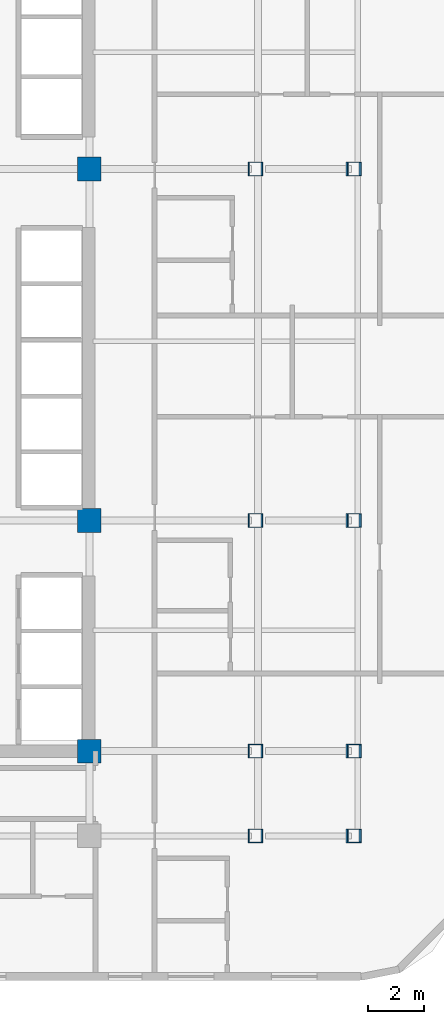
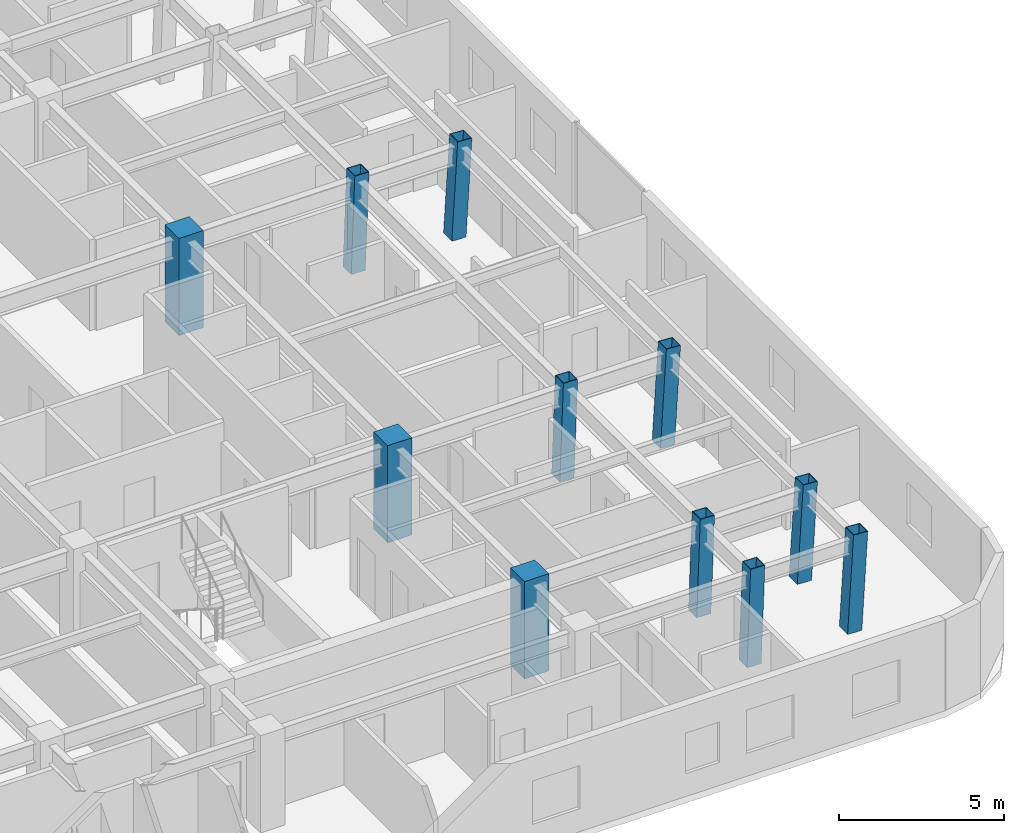
# One storey, part 2 of 13: 11 columns.
"""IFC4 building model written with IfcOpenShell, lengths in metres."""

import ifcopenshell
import ifcopenshell.guid

model = None  # the IFC model being written
_history = None  # IfcOwnerHistory: only IFC2X3 demands one
_inside = {}  # id of a spatial element -> (the spatial element, [elements in it])
_under = {}  # id of a project, library or spatial element -> (it, [spatial elements below it])
_declared = {}  # id of a project -> (the project, [libraries it declares])
_typed = {}  # id of a type object -> (the type object, [elements of that type])
_made_of = {}  # id of a material, layer set ... -> (it, [elements and type objects made of it])


def new_model(schema):
    """Start an empty IFC model of exactly this schema.

    Asked for "IFC4X3", IfcOpenShell would pick the latest addendum, in which some entities
    have other attributes; the version numbers below select the first issue.
    IFC2X3 requires an IfcOwnerHistory on every rooted entity: one is made here for all.
    """
    global model, _history
    if schema == "IFC4X3":
        model = ifcopenshell.file(schema_version=(4, 3, 0, 0))
    else:
        model = ifcopenshell.file(schema=schema)
    _inside.clear()
    _under.clear()
    _declared.clear()
    _typed.clear()
    _made_of.clear()
    _history = None
    if model.schema == "IFC2X3":
        org = make("IfcOrganization", Name="unknown")
        user = make(
            "IfcPersonAndOrganization",
            ThePerson=make("IfcPerson", FamilyName="unknown"),
            TheOrganization=org,
        )
        app = make(
            "IfcApplication",
            ApplicationDeveloper=org,
            Version="unknown",
            ApplicationFullName="unknown",
            ApplicationIdentifier="unknown",
        )
        _history = make(
            "IfcOwnerHistory",
            OwningUser=user,
            OwningApplication=app,
            ChangeAction="ADDED",
            CreationDate=0,
        )
    return model


def make(cls, **values):
    """One entity of the class cls with the attributes given. An attribute that is None is left unset."""
    return model.create_entity(
        cls, **{name: value for name, value in values.items() if value is not None}
    )


def rooted(cls, **values):
    """An entity with a GlobalId (a new one), such as an element, a storey or a relation."""
    return make(cls, GlobalId=ifcopenshell.guid.new(), OwnerHistory=_history, **values)


def si_unit(unit_type, name, prefix=None):
    """IfcSIUnit, for example si_unit("LENGTHUNIT", "METRE", prefix="MILLI")."""
    return make("IfcSIUnit", UnitType=unit_type, Prefix=prefix, Name=name)


def assignment(units):
    """IfcUnitAssignment: the units of a project."""
    return None if units is None else make("IfcUnitAssignment", Units=units)


def point(xyz):
    """IfcCartesianPoint."""
    return None if xyz is None else make("IfcCartesianPoint", Coordinates=xyz)


def direction(xyz):
    """IfcDirection."""
    return None if xyz is None else make("IfcDirection", DirectionRatios=xyz)


def frame(location, z_axis=None, x_axis=None):
    """IfcAxis2Placement3D, a coordinate frame: its origin and axes. An axis left out is left unset."""
    return make(
        "IfcAxis2Placement3D",
        Location=point(location),
        Axis=direction(z_axis),
        RefDirection=direction(x_axis),
    )


def frame_2d(location, x_axis=None):
    """IfcAxis2Placement2D, a coordinate frame in the plane: its origin and x axis."""
    return make(
        "IfcAxis2Placement2D", Location=point(location), RefDirection=direction(x_axis)
    )


def origin():
    """The frame at (0, 0, 0) with its axes left unset."""
    return frame((0.0, 0.0, 0.0))


def origin_2d():
    """The frame at (0, 0) in the plane with its x axis left unset."""
    return frame_2d((0.0, 0.0))


def place(relative_to, where):
    """IfcLocalPlacement: puts the frame where relative to a parent placement (None: the world)."""
    return make(
        "IfcLocalPlacement", PlacementRelTo=relative_to, RelativePlacement=where
    )


def context(
    kind, dimensions, precision=None, world=None, true_north=None, identifier=None
):
    """IfcGeometricRepresentationContext, for example the 3D "Model" context."""
    return make(
        "IfcGeometricRepresentationContext",
        ContextIdentifier=identifier,
        ContextType=kind,
        CoordinateSpaceDimension=dimensions,
        Precision=precision,
        WorldCoordinateSystem=world,
        TrueNorth=true_north,
    )


def subcontext(parent, identifier, kind, view, scale=None):
    """IfcGeometricRepresentationSubContext, for example "Body" below "Model"."""
    return make(
        "IfcGeometricRepresentationSubContext",
        ContextIdentifier=identifier,
        ContextType=kind,
        ParentContext=parent,
        TargetScale=scale,
        TargetView=view,
    )


def project(units=None, contexts=None):
    """IfcProject with its units and contexts."""
    return rooted(
        "IfcProject",
        Name="project",
        RepresentationContexts=contexts,
        UnitsInContext=assignment(units),
    )


def spatial(cls, under=None, at=None, **own):
    """A site, building, storey or space (cls), placed at a placement, below another one or the project."""
    s = rooted(cls, ObjectPlacement=at, **own)
    if under is not None:
        _under.setdefault(under.id(), (under, []))[1].append(s)
    return s


def profile(cls, at=None, kind="AREA", **sizes):
    """A parametric profile (cls). Its sizes go by their IFC names, for example OverallWidth=200.0."""
    return make(cls, ProfileType=kind, Position=at, **sizes)


def rectangle(**sizes):
    """IfcRectangleProfileDef."""
    return profile("IfcRectangleProfileDef", **sizes)


def hollow_rectangle(**sizes):
    """IfcRectangleHollowProfileDef."""
    return profile("IfcRectangleHollowProfileDef", **sizes)


def extrude(swept, where, along, depth):
    """IfcExtrudedAreaSolid: the profile swept, set in the frame where, extruded along a direction by depth."""
    return make(
        "IfcExtrudedAreaSolid",
        SweptArea=swept,
        Position=where,
        ExtrudedDirection=direction(along),
        Depth=depth,
    )


def shape(context_of_items, identifier, shape_type, items):
    """IfcShapeRepresentation: the items that make up one representation, for example the "Body"."""
    return make(
        "IfcShapeRepresentation",
        ContextOfItems=context_of_items,
        RepresentationIdentifier=identifier,
        RepresentationType=shape_type,
        Items=items,
    )


def material(Name=None, Category=None):
    """IfcMaterial."""
    return make("IfcMaterial", Name=Name, Category=Category)


def material_profile(
    of_material, cross_section, Name=None, Category=None, Priority=None
):
    """IfcMaterialProfile: a cross section and its material."""
    return make(
        "IfcMaterialProfile",
        Name=Name,
        Material=of_material,
        Profile=cross_section,
        Priority=Priority,
        Category=Category,
    )


def profile_set(profiles, Name=None, composite=None):
    """IfcMaterialProfileSet."""
    return make(
        "IfcMaterialProfileSet",
        Name=Name,
        MaterialProfiles=profiles,
        CompositeProfile=composite,
    )


def made_of(thing, what):
    """Note that an element or type object is made of a material, layer set ...; save() writes the relation."""
    if what is not None:
        _made_of.setdefault(what.id(), (what, []))[1].append(thing)
    return thing


def type_object(cls, material=None, **own):
    """A type object (cls), such as IfcWallType, which elements share."""
    return made_of(rooted(cls, **own), material)


def element(
    cls,
    number,
    at=None,
    inside=None,
    cuts=None,
    type_object=None,
    material=None,
    context=None,
    identifier="Body",
    shape_type=None,
    held_by="IfcProductDefinitionShape",
    body=None,
    shapes=None,
    **own,
):
    """One element of the class cls, such as IfcWall. Its Tag is "e" and its number.

    at: its placement. inside: the storey or other place that contains it. cuts: it is an
    opening in that element (IfcRelVoidsElement). A single representation is given by context,
    identifier, shape_type and body (its items); several are given by shapes. held_by: the class
    of the entity that holds the representations. save() writes the other relations.
    """
    e = rooted(cls, Tag="e%d" % number, ObjectPlacement=at, **own)
    if body is not None:
        shapes = [shape(context, identifier, shape_type, body)]
    if shapes is not None:
        e.Representation = make(held_by, Representations=shapes)
    if inside is not None:
        _inside.setdefault(inside.id(), (inside, []))[1].append(e)
    if cuts is not None:
        rooted(
            "IfcRelVoidsElement", RelatingBuildingElement=cuts, RelatedOpeningElement=e
        )
    if type_object is not None:
        _typed.setdefault(type_object.id(), (type_object, []))[1].append(e)
    return made_of(e, material)


def aggregate(whole, parts):
    """IfcRelAggregates: a whole, such as a stair, and the parts it consists of."""
    return rooted("IfcRelAggregates", RelatingObject=whole, RelatedObjects=parts)


def save(model, path):
    """Write the relations noted so far, then the file.

    IfcRelAggregates (storeys below a building ...), IfcRelContainedInSpatialStructure (elements
    in a storey), IfcRelDefinesByType, IfcRelAssociatesMaterial and IfcRelDeclares: one each for
    every whole, place, type object, material and project.
    """
    for whole, parts in _under.values():
        aggregate(whole, parts)
    for where, things in _inside.values():
        rooted(
            "IfcRelContainedInSpatialStructure",
            RelatedElements=things,
            RelatingStructure=where,
        )
    for kind, things in _typed.values():
        rooted("IfcRelDefinesByType", RelatedObjects=things, RelatingType=kind)
    for what, things in _made_of.values():
        rooted("IfcRelAssociatesMaterial", RelatedObjects=things, RelatingMaterial=what)
    for by, libraries in _declared.values():
        rooted("IfcRelDeclares", RelatingContext=by, RelatedDefinitions=libraries)
    model.write(path)


model = new_model("IFC4")

# Units and contexts
model_context = context("Model", 3, precision=1e-05, world=origin(), true_north=direction((0.0, 1.0)))
body_context = subcontext(model_context, "Body", "Model", "MODEL_VIEW")
ifc_project = project(units=[si_unit("LENGTHUNIT", "METRE"), si_unit("AREAUNIT", "SQUARE_METRE"), si_unit("VOLUMEUNIT", "CUBIC_METRE"), si_unit("PLANEANGLEUNIT", "RADIAN"), si_unit("MASSUNIT", "GRAM", prefix="KILO")], contexts=[model_context])

# Site, building, storey
site_placement = place(None, origin())
site = spatial("IfcSite", under=ifc_project, at=site_placement, CompositionType="ELEMENT")
building_placement = place(site_placement, origin())
building = spatial("IfcBuilding", under=site, at=building_placement, Name="Ochreholt Gables", CompositionType="ELEMENT")
storey_placement = place(building_placement, frame((0.0, 0.0, 34.800048828125)))
storey = spatial("IfcBuildingStorey", under=building, at=storey_placement, Name="L08", CompositionType="ELEMENT", Elevation=34.800048828125)

# Columns
ifc_material_1 = material(Name="Steel CSA G40.21 350W", Category="steel")
ifc_material_profile_1 = material_profile(ifc_material_1, hollow_rectangle(XDim=0.5, YDim=0.5, WallThickness=0.02197265625, at=origin_2d()), Name="HSS500X500X22")
ifc_profile_set_1 = profile_set([ifc_material_profile_1], Name="Steel CSA G40.21 350W")
column_type_1 = type_object("IfcColumnType", Name="COL-HSS500-RAK", PredefinedType="COLUMN", material=ifc_profile_set_1)
for number, where, z_axis, x_axis, name in (
    (1, (41.154052734375, 9.25, 0.0), (0.034973505036, 0.0, 0.999388239847), (0.0, 1.0, 0.0), "L08 Column EMY2"),
    (2, (41.154052734375, 17.550048828125, 0.0), (0.034973505036, 0.0, 0.999388239847), (0.0, 1.0, 0.0), "L08 Column EMY3"),
    (3, (41.154052734375, 30.199951171875, 0.0), (0.034973505036, 0.0, 0.999388239847), (0.0, 1.0, 0.0), "L08 Column EMY4"),
):
    element("IfcColumn", number, at=place(storey_placement, frame(where, z_axis=z_axis, x_axis=x_axis)), inside=storey, type_object=column_type_1, Name=name, PredefinedType="COLUMN", context=body_context, shape_type="SweptSolid", body=[
        extrude(hollow_rectangle(XDim=0.5, YDim=0.5, WallThickness=0.02197265625, at=origin_2d()), origin(), (0.0, 0.0, 1.0), 3.60205078125),
    ])
ifc_material_profile_2 = material_profile(ifc_material_1, hollow_rectangle(XDim=0.5, YDim=0.5, WallThickness=0.02197265625, at=origin_2d()), Name="HSS500X500X22")
ifc_profile_set_2 = profile_set([ifc_material_profile_2], Name="Steel CSA G40.21 350W")
column_type_2 = type_object("IfcColumnType", Name="COL-HSS500-RAKE", PredefinedType="COLUMN", material=ifc_profile_set_2)
column_placement = place(storey_placement, frame((41.154052734375, 6.199951171875, 0.0), z_axis=(0.034973505036, 0.0, 0.999388239847), x_axis=(0.0, 1.0, 0.0)))
element("IfcColumn", 4, at=column_placement, inside=storey, type_object=column_type_2, Name="L08 Column EMY1", PredefinedType="COLUMN", context=body_context, shape_type="SweptSolid", body=[
    extrude(hollow_rectangle(XDim=0.5, YDim=0.5, WallThickness=0.02197265625, at=origin_2d()), origin(), (0.0, 0.0, 1.0), 3.60205078125),
])
for number, where, z_axis, x_axis, name in (
    (5, (44.67529296875, 6.199951171875, 0.0), (0.057888518877, 0.0, 0.998323053617), (0.0, 1.0, 0.0), "L08 Column EEY1"),
    (6, (44.67529296875, 9.25, 0.0), (0.057888518877, 0.0, 0.998323053617), (0.0, 1.0, 0.0), "L08 Column EEY2"),
    (7, (44.67529296875, 17.550048828125, 0.0), (0.057888518877, 0.0, 0.998323053617), (0.0, 1.0, 0.0), "L08 Column EEY3"),
    (8, (44.67529296875, 30.199951171875, 0.0), (0.057888518877, 0.0, 0.998323053617), (0.0, 1.0, 0.0), "L08 Column EEY4"),
):
    element("IfcColumn", number, at=place(storey_placement, frame(where, z_axis=z_axis, x_axis=x_axis)), inside=storey, type_object=column_type_2, Name=name, PredefinedType="COLUMN", context=body_context, shape_type="SweptSolid", body=[
        extrude(hollow_rectangle(XDim=0.5, YDim=0.5, WallThickness=0.02197265625, at=origin_2d()), origin(), (0.0, 0.0, 1.0), 3.60595703125),
    ])
ifc_material_2 = material(Name="Concrete 60 MPa", Category="concrete")
ifc_material_profile_3 = material_profile(ifc_material_2, rectangle(XDim=0.85009765625, YDim=0.85009765625, at=origin_2d()), Name="RC850X850")
ifc_profile_set_3 = profile_set([ifc_material_profile_3], Name="Concrete 60 MPa")
column_type_3 = type_object("IfcColumnType", Name="COL-RC850-INT", PredefinedType="COLUMN", material=ifc_profile_set_3)
for number, where, z_axis, x_axis, name in (
    (9, (35.199951171875, 9.25, 0.0), (0.0, 0.0, 1.0), (1.0, 0.0, 0.0), "L08 Column C2Y2"),
    (10, (35.199951171875, 17.550048828125, 0.0), (0.0, 0.0, 1.0), (1.0, 0.0, 0.0), "L08 Column C2Y3"),
    (11, (35.199951171875, 30.199951171875, 0.0), (0.0, 0.0, 1.0), (1.0, 0.0, 0.0), "L08 Column C2Y4"),
):
    element("IfcColumn", number, at=place(storey_placement, frame(where, z_axis=z_axis, x_axis=x_axis)), inside=storey, type_object=column_type_3, Name=name, PredefinedType="COLUMN", context=body_context, shape_type="SweptSolid", body=[
        extrude(rectangle(XDim=0.85009765625, YDim=0.85009765625, at=origin_2d()), origin(), (0.0, 0.0, 1.0), 3.599853515625),
    ])

save(model, "model.ifc")
